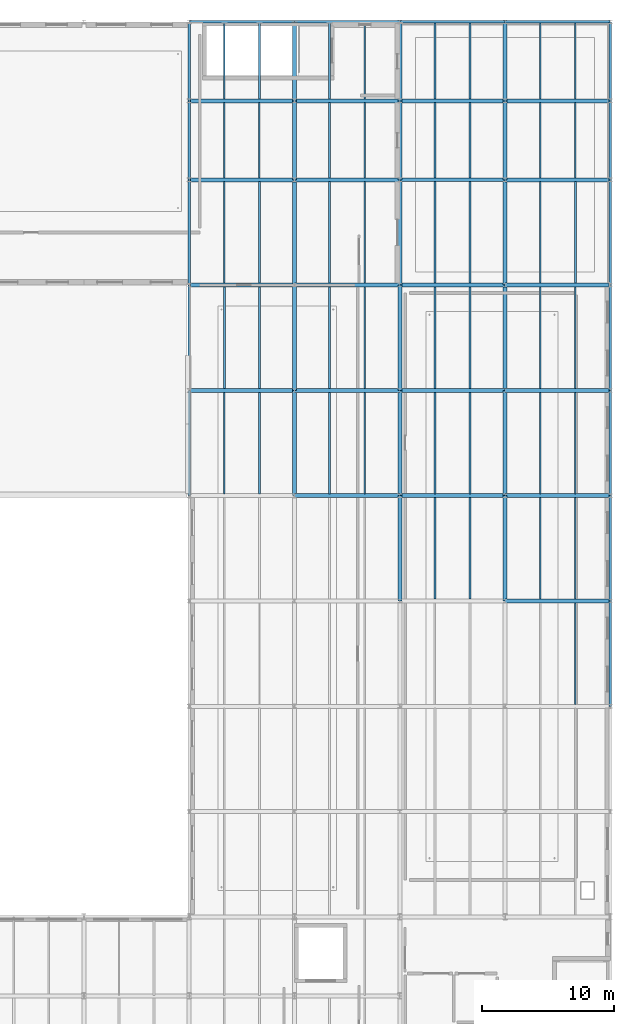
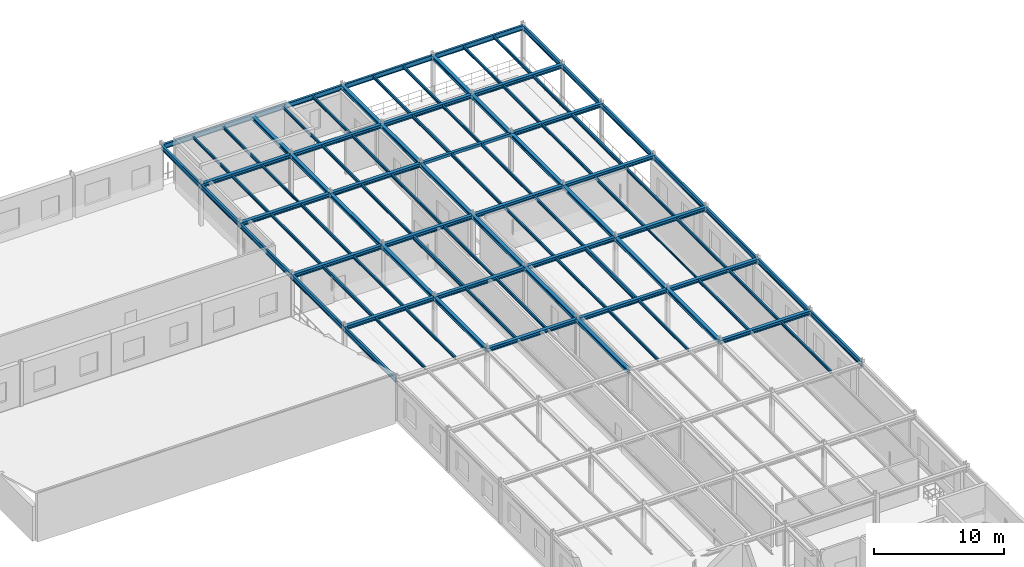
# One storey, part 67 of 124: 98 beams.
"""IFC4 building model written with IfcOpenShell, lengths in metres."""

from ifc_helpers import new_model, si_unit, direction, frame, origin, origin_2d, place, context, subcontext, project, spatial, hollow_rectangle, i_section, extrude, material, material_profile, profile_set, type_object, element, save


model = new_model("IFC4")

# Units and contexts
model_context = context("Model", 3, precision=1e-05, world=origin(), true_north=direction((0.0, 1.0)))
body_context = subcontext(model_context, "Body", "Model", "MODEL_VIEW")
ifc_project = project(units=[si_unit("LENGTHUNIT", "METRE"), si_unit("AREAUNIT", "SQUARE_METRE"), si_unit("VOLUMEUNIT", "CUBIC_METRE"), si_unit("PLANEANGLEUNIT", "RADIAN"), si_unit("MASSUNIT", "GRAM", prefix="KILO")], contexts=[model_context])

# Site, building, storey
site_placement = place(None, origin())
site = spatial("IfcSite", under=ifc_project, at=site_placement, CompositionType="ELEMENT")
building_placement = place(site_placement, origin())
building = spatial("IfcBuilding", under=site, at=building_placement, Name="Sundkrona Museum", CompositionType="ELEMENT")
storey_placement = place(building_placement, frame((0.0, 0.0, 17.60009765625)))
storey = spatial("IfcBuildingStorey", under=building, at=storey_placement, Name="L03", CompositionType="ELEMENT", Elevation=17.60009765625)

# Beams
ifc_material_1 = material(Name="Steel S355J2", Category="steel")
ifc_material_profile_1 = material_profile(ifc_material_1, i_section(OverallWidth=0.300048828125, OverallDepth=0.35009765625, WebThickness=0.010009765625, FlangeThickness=0.017578125, FilletRadius=0.027099609375, at=origin_2d()), Name="HEA 360")
ifc_profile_set_1 = profile_set([ifc_material_profile_1], Name="Steel S355J2")
beam_type_1 = type_object("IfcBeamType", Name="B-HEA360", PredefinedType="BEAM", material=ifc_profile_set_1)
for number, where, z_axis, x_axis, name in (
    (1, (144.0, 78.0, 3.724853515625), (1.0, 0.0, 0.0), (0.0, 1.0, 0.0), "L03 Girder X-1495"),
    (2, (152.0, 78.0, 3.724853515625), (1.0, 0.0, 0.0), (0.0, 1.0, 0.0), "L03 Girder X-1496"),
    (3, (160.0, 78.0, 3.724853515625), (1.0, 0.0, 0.0), (0.0, 1.0, 0.0), "L03 Girder X-1497"),
    (4, (136.0, 86.0, 3.724853515625), (1.0, 0.0, 0.0), (0.0, 1.0, 0.0), "L03 Girder X-1504"),
    (5, (144.0, 86.0, 3.724853515625), (1.0, 0.0, 0.0), (0.0, 1.0, 0.0), "L03 Girder X-1505"),
    (6, (152.0, 86.0, 3.724853515625), (1.0, 0.0, 0.0), (0.0, 1.0, 0.0), "L03 Girder X-1506"),
    (7, (160.0, 86.0, 3.724853515625), (1.0, 0.0, 0.0), (0.0, 1.0, 0.0), "L03 Girder X-1507"),
    (8, (136.0, 94.0, 3.724853515625), (1.0, 0.0, 0.0), (0.0, 1.0, 0.0), "L03 Girder X-1516"),
    (9, (144.0, 94.0, 3.724853515625), (1.0, 0.0, 0.0), (0.0, 1.0, 0.0), "L03 Girder X-1517"),
    (10, (152.0, 94.0, 3.724853515625), (1.0, 0.0, 0.0), (0.0, 1.0, 0.0), "L03 Girder X-1518"),
    (11, (160.0, 94.0, 3.724853515625), (1.0, 0.0, 0.0), (0.0, 1.0, 0.0), "L03 Girder X-1519"),
    (12, (136.0, 102.0, 3.724853515625), (1.0, 0.0, 0.0), (0.0, 1.0, 0.0), "L03 Girder X-1528"),
    (13, (144.0, 102.0, 3.724853515625), (1.0, 0.0, 0.0), (0.0, 1.0, 0.0), "L03 Girder X-1529"),
    (14, (160.0, 102.0, 3.724853515625), (1.0, 0.0, 0.0), (0.0, 1.0, 0.0), "L03 Girder X-1531"),
    (15, (136.0, 108.0, 3.724853515625), (1.0, 0.0, 0.0), (0.0, 1.0, 0.0), "L03 Girder X-1540"),
    (16, (144.0, 108.0, 3.724853515625), (1.0, 0.0, 0.0), (0.0, 1.0, 0.0), "L03 Girder X-1541"),
    (17, (152.0, 108.0, 3.724853515625), (1.0, 0.0, 0.0), (0.0, 1.0, 0.0), "L03 Girder X-1542"),
    (18, (160.0, 108.0, 3.724853515625), (1.0, 0.0, 0.0), (0.0, 1.0, 0.0), "L03 Girder X-1543"),
    (19, (144.0, 78.0, 3.724853515625), (0.0, 1.0, 0.0), (-1.0, 0.0, 0.0), "L03 Girder Y-1655"),
    (20, (144.0, 86.0, 3.724853515625), (0.0, 1.0, 0.0), (-1.0, 0.0, 0.0), "L03 Girder Y-1656"),
    (21, (144.0, 94.0, 3.724853515625), (0.0, 1.0, 0.0), (-1.0, 0.0, 0.0), "L03 Girder Y-1657"),
):
    element("IfcBeam", number, at=place(storey_placement, frame(where, z_axis=z_axis, x_axis=x_axis)), inside=storey, type_object=beam_type_1, Name=name, PredefinedType="BEAM", context=body_context, shape_type="SweptSolid", body=[
        extrude(i_section(OverallWidth=0.300048828125, OverallDepth=0.35009765625, WebThickness=0.010009765625, FlangeThickness=0.017578125, FilletRadius=0.027099609375, at=origin_2d()), origin(), (0.0, 0.0, 1.0), 8.0),
    ])
for number, where, z_axis, x_axis, name in (
    (22, (144.0, 102.0, 3.724853515625), (0.0, 1.0, 0.0), (-1.0, 0.0, 0.0), "L03 Girder Y-1658"),
    (23, (144.0, 108.0, 3.724853515625), (0.0, 1.0, 0.0), (-1.0, 0.0, 0.0), "L03 Girder Y-1659"),
):
    element("IfcBeam", number, at=place(storey_placement, frame(where, z_axis=z_axis, x_axis=x_axis)), inside=storey, type_object=beam_type_1, Name=name, PredefinedType="BEAM", context=body_context, shape_type="SweptSolid", body=[
        extrude(i_section(OverallWidth=0.300048828125, OverallDepth=0.35009765625, WebThickness=0.010009765625, FlangeThickness=0.017578125, FilletRadius=0.027099609375, at=origin_2d()), origin(), (0.0, 0.0, 1.0), 6.0),
    ])
for number, where, z_axis, x_axis, name in (
    (24, (152.0, 70.0, 3.724853515625), (0.0, 1.0, 0.0), (-1.0, 0.0, 0.0), "L03 Girder Y-1669"),
    (25, (152.0, 78.0, 3.724853515625), (0.0, 1.0, 0.0), (-1.0, 0.0, 0.0), "L03 Girder Y-1670"),
    (26, (152.0, 86.0, 3.724853515625), (0.0, 1.0, 0.0), (-1.0, 0.0, 0.0), "L03 Girder Y-1671"),
    (27, (152.0, 94.0, 3.724853515625), (0.0, 1.0, 0.0), (-1.0, 0.0, 0.0), "L03 Girder Y-1672"),
):
    element("IfcBeam", number, at=place(storey_placement, frame(where, z_axis=z_axis, x_axis=x_axis)), inside=storey, type_object=beam_type_1, Name=name, PredefinedType="BEAM", context=body_context, shape_type="SweptSolid", body=[
        extrude(i_section(OverallWidth=0.300048828125, OverallDepth=0.35009765625, WebThickness=0.010009765625, FlangeThickness=0.017578125, FilletRadius=0.027099609375, at=origin_2d()), origin(), (0.0, 0.0, 1.0), 8.0),
    ])
for number, where, z_axis, x_axis, name in (
    (28, (152.0, 102.0, 3.724853515625), (0.0, 1.0, 0.0), (-1.0, 0.0, 0.0), "L03 Girder Y-1673"),
    (29, (152.0, 108.0, 3.724853515625), (0.0, 1.0, 0.0), (-1.0, 0.0, 0.0), "L03 Girder Y-1674"),
):
    element("IfcBeam", number, at=place(storey_placement, frame(where, z_axis=z_axis, x_axis=x_axis)), inside=storey, type_object=beam_type_1, Name=name, PredefinedType="BEAM", context=body_context, shape_type="SweptSolid", body=[
        extrude(i_section(OverallWidth=0.300048828125, OverallDepth=0.35009765625, WebThickness=0.010009765625, FlangeThickness=0.017578125, FilletRadius=0.027099609375, at=origin_2d()), origin(), (0.0, 0.0, 1.0), 6.0),
    ])
for number, where, z_axis, x_axis, name in (
    (30, (160.0, 70.0, 3.724853515625), (0.0, 1.0, 0.0), (-1.0, 0.0, 0.0), "L03 Girder Y-1682"),
    (31, (160.0, 78.0, 3.724853515625), (0.0, 1.0, 0.0), (-1.0, 0.0, 0.0), "L03 Girder Y-1683"),
    (32, (160.0, 86.0, 3.724853515625), (0.0, 1.0, 0.0), (-1.0, 0.0, 0.0), "L03 Girder Y-1684"),
    (33, (160.0, 94.0, 3.724853515625), (0.0, 1.0, 0.0), (-1.0, 0.0, 0.0), "L03 Girder Y-1685"),
):
    element("IfcBeam", number, at=place(storey_placement, frame(where, z_axis=z_axis, x_axis=x_axis)), inside=storey, type_object=beam_type_1, Name=name, PredefinedType="BEAM", context=body_context, shape_type="SweptSolid", body=[
        extrude(i_section(OverallWidth=0.300048828125, OverallDepth=0.35009765625, WebThickness=0.010009765625, FlangeThickness=0.017578125, FilletRadius=0.027099609375, at=origin_2d()), origin(), (0.0, 0.0, 1.0), 8.0),
    ])
for number, where, z_axis, x_axis, name in (
    (34, (160.0, 102.0, 3.724853515625), (0.0, 1.0, 0.0), (-1.0, 0.0, 0.0), "L03 Girder Y-1686"),
    (35, (160.0, 108.0, 3.724853515625), (0.0, 1.0, 0.0), (-1.0, 0.0, 0.0), "L03 Girder Y-1687"),
):
    element("IfcBeam", number, at=place(storey_placement, frame(where, z_axis=z_axis, x_axis=x_axis)), inside=storey, type_object=beam_type_1, Name=name, PredefinedType="BEAM", context=body_context, shape_type="SweptSolid", body=[
        extrude(i_section(OverallWidth=0.300048828125, OverallDepth=0.35009765625, WebThickness=0.010009765625, FlangeThickness=0.017578125, FilletRadius=0.027099609375, at=origin_2d()), origin(), (0.0, 0.0, 1.0), 6.0),
    ])
ifc_material_profile_2 = material_profile(ifc_material_1, i_section(OverallWidth=0.300048828125, OverallDepth=0.360107421875, WebThickness=0.012451171875, FlangeThickness=0.0224609375, FilletRadius=0.027099609375, at=origin_2d()), Name="HEB 360")
ifc_profile_set_2 = profile_set([ifc_material_profile_2], Name="Steel S355J2")
beam_type_2 = type_object("IfcBeamType", Name="B-HEB360", PredefinedType="BEAM", material=ifc_profile_set_2)
beam_1_placement = place(storey_placement, frame((160.0, 70.0, 3.719970703125), z_axis=(1.0, 0.0, 0.0), x_axis=(0.0, 1.0, 0.0)))
element("IfcBeam", 36, at=beam_1_placement, inside=storey, type_object=beam_type_2, Name="L03 Girder X-1485", PredefinedType="BEAM", context=body_context, shape_type="SweptSolid", body=[
    extrude(i_section(OverallWidth=0.300048828125, OverallDepth=0.360107421875, WebThickness=0.012451171875, FlangeThickness=0.0224609375, FilletRadius=0.027099609375, at=origin_2d()), origin(), (0.0, 0.0, 1.0), 8.0),
])
ifc_material_2 = material(Name="Steel S460M", Category="steel")
ifc_material_profile_3 = material_profile(ifc_material_2, hollow_rectangle(XDim=0.25, YDim=0.25, WallThickness=0.012451171875, at=origin_2d()), Name="SHS 250x250x12.5")
ifc_profile_set_3 = profile_set([ifc_material_profile_3], Name="Steel S460M")
beam_type_3 = type_object("IfcBeamType", Name="B-SHS250", PredefinedType="BEAM", material=ifc_profile_set_3)
beam_2_placement = place(storey_placement, frame((152.0, 102.0, 3.77490234375), z_axis=(1.0, 0.0, 0.0), x_axis=(0.0, 1.0, 0.0)))
element("IfcBeam", 37, at=beam_2_placement, inside=storey, type_object=beam_type_3, Name="L03 Girder X-1530", PredefinedType="BEAM", context=body_context, shape_type="SweptSolid", body=[
    extrude(hollow_rectangle(XDim=0.25, YDim=0.25, WallThickness=0.012451171875, at=origin_2d()), origin(), (0.0, 0.0, 1.0), 8.0),
])
ifc_material_profile_4 = material_profile(ifc_material_1, i_section(OverallWidth=0.091064453125, OverallDepth=0.179931640625, WebThickness=0.00537109375, FlangeThickness=0.008056640625, FilletRadius=0.009033203125, at=origin_2d()), Name="IPE 180")
ifc_profile_set_4 = profile_set([ifc_material_profile_4], Name="Steel S355J2")
beam_type_4 = type_object("IfcBeamType", Name="J-IPE180", PredefinedType="JOIST", material=ifc_profile_set_4)
beam_3_placement = place(storey_placement, frame((162.666748046875, 78.14404296875, 3.809814453125), z_axis=(0.0, 1.0, 0.0), x_axis=(-1.0, 0.0, 0.0)))
element("IfcBeam", 38, at=beam_3_placement, inside=storey, type_object=beam_type_4, Name="L03 Composite Joist 1175", PredefinedType="JOIST", context=body_context, shape_type="SweptSolid", body=[
    extrude(i_section(OverallWidth=0.091064453125, OverallDepth=0.179931640625, WebThickness=0.00537109375, FlangeThickness=0.008056640625, FilletRadius=0.009033203125, at=origin_2d()), origin(), (0.0, 0.0, 1.0), 7.7119140625),
])
ifc_material_profile_5 = material_profile(ifc_material_1, i_section(OverallWidth=0.1201171875, OverallDepth=0.239990234375, WebThickness=0.006103515625, FlangeThickness=0.009765625, FilletRadius=0.014892578125, at=origin_2d()), Name="IPE 240")
ifc_profile_set_5 = profile_set([ifc_material_profile_5], Name="Steel S355J2")
beam_type_5 = type_object("IfcBeamType", Name="J-IPE240", PredefinedType="JOIST", material=ifc_profile_set_5)
beam_4_placement = place(storey_placement, frame((141.333251953125, 102.14404296875, 3.77978515625), z_axis=(0.0, 1.0, 0.0), x_axis=(-1.0, 0.0, 0.0)))
element("IfcBeam", 39, at=beam_4_placement, inside=storey, type_object=beam_type_5, Name="L03 Composite Joist 1105", PredefinedType="JOIST", context=body_context, shape_type="SweptSolid", body=[
    extrude(i_section(OverallWidth=0.1201171875, OverallDepth=0.239990234375, WebThickness=0.006103515625, FlangeThickness=0.009765625, FilletRadius=0.014892578125, at=origin_2d()), origin(), (0.0, 0.0, 1.0), 5.7119140625),
])
ifc_material_profile_6 = material_profile(ifc_material_1, i_section(OverallWidth=0.135009765625, OverallDepth=0.27001953125, WebThickness=0.006591796875, FlangeThickness=0.01025390625, FilletRadius=0.014892578125, at=origin_2d()), Name="IPE 270")
ifc_profile_set_6 = profile_set([ifc_material_profile_6], Name="Steel S355J2")
beam_type_6 = type_object("IfcBeamType", Name="J-IPE270", PredefinedType="JOIST", material=ifc_profile_set_6)
for number, where, z_axis, x_axis, name in (
    (40, (138.666748046875, 78.14404296875, 3.764892578125), (0.0, 1.0, 0.0), (-1.0, 0.0, 0.0), "L03 Composite Joist 1098"),
    (41, (141.333251953125, 78.14404296875, 3.764892578125), (0.0, 1.0, 0.0), (-1.0, 0.0, 0.0), "L03 Composite Joist 1099"),
    (42, (141.333251953125, 86.14404296875, 3.764892578125), (0.0, 1.0, 0.0), (-1.0, 0.0, 0.0), "L03 Composite Joist 1101"),
    (43, (138.666748046875, 94.14404296875, 3.764892578125), (0.0, 1.0, 0.0), (-1.0, 0.0, 0.0), "L03 Composite Joist 1102"),
    (44, (141.333251953125, 94.14404296875, 3.764892578125), (0.0, 1.0, 0.0), (-1.0, 0.0, 0.0), "L03 Composite Joist 1103"),
):
    element("IfcBeam", number, at=place(storey_placement, frame(where, z_axis=z_axis, x_axis=x_axis)), inside=storey, type_object=beam_type_6, Name=name, PredefinedType="JOIST", context=body_context, shape_type="SweptSolid", body=[
        extrude(i_section(OverallWidth=0.135009765625, OverallDepth=0.27001953125, WebThickness=0.006591796875, FlangeThickness=0.01025390625, FilletRadius=0.014892578125, at=origin_2d()), origin(), (0.0, 0.0, 1.0), 7.7119140625),
    ])
beam_5_placement = place(storey_placement, frame((138.666748046875, 102.14404296875, 3.764892578125), z_axis=(0.0, 1.0, 0.0), x_axis=(-1.0, 0.0, 0.0)))
element("IfcBeam", 45, at=beam_5_placement, inside=storey, type_object=beam_type_6, Name="L03 Composite Joist 1104", PredefinedType="JOIST", context=body_context, shape_type="SweptSolid", body=[
    extrude(i_section(OverallWidth=0.135009765625, OverallDepth=0.27001953125, WebThickness=0.006591796875, FlangeThickness=0.01025390625, FilletRadius=0.014892578125, at=origin_2d()), origin(), (0.0, 0.0, 1.0), 5.7119140625),
])
for number, where, z_axis, x_axis, name in (
    (46, (138.666748046875, 108.14404296875, 3.764892578125), (0.0, 1.0, 0.0), (-1.0, 0.0, 0.0), "L03 Composite Joist 1106"),
    (47, (141.333251953125, 108.14404296875, 3.764892578125), (0.0, 1.0, 0.0), (-1.0, 0.0, 0.0), "L03 Composite Joist 1107"),
):
    element("IfcBeam", number, at=place(storey_placement, frame(where, z_axis=z_axis, x_axis=x_axis)), inside=storey, type_object=beam_type_6, Name=name, PredefinedType="JOIST", context=body_context, shape_type="SweptSolid", body=[
        extrude(i_section(OverallWidth=0.135009765625, OverallDepth=0.27001953125, WebThickness=0.006591796875, FlangeThickness=0.01025390625, FilletRadius=0.014892578125, at=origin_2d()), origin(), (0.0, 0.0, 1.0), 5.766845703125),
    ])
for number, where, z_axis, x_axis, name in (
    (48, (146.666748046875, 78.14404296875, 3.764892578125), (0.0, 1.0, 0.0), (-1.0, 0.0, 0.0), "L03 Composite Joist 1123"),
    (49, (149.333251953125, 78.14404296875, 3.764892578125), (0.0, 1.0, 0.0), (-1.0, 0.0, 0.0), "L03 Composite Joist 1124"),
    (50, (149.333251953125, 86.14404296875, 3.764892578125), (0.0, 1.0, 0.0), (-1.0, 0.0, 0.0), "L03 Composite Joist 1126"),
    (51, (146.666748046875, 94.14404296875, 3.764892578125), (0.0, 1.0, 0.0), (-1.0, 0.0, 0.0), "L03 Composite Joist 1127"),
    (52, (149.333251953125, 94.14404296875, 3.764892578125), (0.0, 1.0, 0.0), (-1.0, 0.0, 0.0), "L03 Composite Joist 1128"),
):
    element("IfcBeam", number, at=place(storey_placement, frame(where, z_axis=z_axis, x_axis=x_axis)), inside=storey, type_object=beam_type_6, Name=name, PredefinedType="JOIST", context=body_context, shape_type="SweptSolid", body=[
        extrude(i_section(OverallWidth=0.135009765625, OverallDepth=0.27001953125, WebThickness=0.006591796875, FlangeThickness=0.01025390625, FilletRadius=0.014892578125, at=origin_2d()), origin(), (0.0, 0.0, 1.0), 7.7119140625),
    ])
for number, where, z_axis, x_axis, name in (
    (53, (146.666748046875, 102.14404296875, 3.764892578125), (0.0, 1.0, 0.0), (-1.0, 0.0, 0.0), "L03 Composite Joist 1129"),
    (54, (149.333251953125, 102.14404296875, 3.764892578125), (0.0, 1.0, 0.0), (-1.0, 0.0, 0.0), "L03 Composite Joist 1130"),
):
    element("IfcBeam", number, at=place(storey_placement, frame(where, z_axis=z_axis, x_axis=x_axis)), inside=storey, type_object=beam_type_6, Name=name, PredefinedType="JOIST", context=body_context, shape_type="SweptSolid", body=[
        extrude(i_section(OverallWidth=0.135009765625, OverallDepth=0.27001953125, WebThickness=0.006591796875, FlangeThickness=0.01025390625, FilletRadius=0.014892578125, at=origin_2d()), origin(), (0.0, 0.0, 1.0), 5.7119140625),
    ])
for number, where, z_axis, x_axis, name in (
    (55, (146.666748046875, 108.14404296875, 3.764892578125), (0.0, 1.0, 0.0), (-1.0, 0.0, 0.0), "L03 Composite Joist 1131"),
    (56, (149.333251953125, 108.14404296875, 3.764892578125), (0.0, 1.0, 0.0), (-1.0, 0.0, 0.0), "L03 Composite Joist 1132"),
):
    element("IfcBeam", number, at=place(storey_placement, frame(where, z_axis=z_axis, x_axis=x_axis)), inside=storey, type_object=beam_type_6, Name=name, PredefinedType="JOIST", context=body_context, shape_type="SweptSolid", body=[
        extrude(i_section(OverallWidth=0.135009765625, OverallDepth=0.27001953125, WebThickness=0.006591796875, FlangeThickness=0.01025390625, FilletRadius=0.014892578125, at=origin_2d()), origin(), (0.0, 0.0, 1.0), 5.766845703125),
    ])
for number, where, z_axis, x_axis, name in (
    (57, (154.666748046875, 70.14404296875, 3.764892578125), (0.0, 1.0, 0.0), (-1.0, 0.0, 0.0), "L03 Composite Joist 1147"),
    (58, (157.333251953125, 70.14404296875, 3.764892578125), (0.0, 1.0, 0.0), (-1.0, 0.0, 0.0), "L03 Composite Joist 1148"),
    (59, (154.666748046875, 78.14404296875, 3.764892578125), (0.0, 1.0, 0.0), (-1.0, 0.0, 0.0), "L03 Composite Joist 1149"),
    (60, (154.666748046875, 86.14404296875, 3.764892578125), (0.0, 1.0, 0.0), (-1.0, 0.0, 0.0), "L03 Composite Joist 1151"),
    (61, (157.333251953125, 86.14404296875, 3.764892578125), (0.0, 1.0, 0.0), (-1.0, 0.0, 0.0), "L03 Composite Joist 1152"),
):
    element("IfcBeam", number, at=place(storey_placement, frame(where, z_axis=z_axis, x_axis=x_axis)), inside=storey, type_object=beam_type_6, Name=name, PredefinedType="JOIST", context=body_context, shape_type="SweptSolid", body=[
        extrude(i_section(OverallWidth=0.135009765625, OverallDepth=0.27001953125, WebThickness=0.006591796875, FlangeThickness=0.01025390625, FilletRadius=0.014892578125, at=origin_2d()), origin(), (0.0, 0.0, 1.0), 7.7119140625),
    ])
for number, where, z_axis, x_axis, name in (
    (62, (154.666748046875, 94.14404296875, 3.764892578125), (0.0, 1.0, 0.0), (-1.0, 0.0, 0.0), "L03 Composite Joist 1153"),
    (63, (157.333251953125, 94.14404296875, 3.764892578125), (0.0, 1.0, 0.0), (-1.0, 0.0, 0.0), "L03 Composite Joist 1154"),
):
    element("IfcBeam", number, at=place(storey_placement, frame(where, z_axis=z_axis, x_axis=x_axis)), inside=storey, type_object=beam_type_6, Name=name, PredefinedType="JOIST", context=body_context, shape_type="SweptSolid", body=[
        extrude(i_section(OverallWidth=0.135009765625, OverallDepth=0.27001953125, WebThickness=0.006591796875, FlangeThickness=0.01025390625, FilletRadius=0.014892578125, at=origin_2d()), origin(), (0.0, 0.0, 1.0), 7.737060546875),
    ])
beam_6_placement = place(storey_placement, frame((157.333251953125, 102.118896484375, 3.764892578125), z_axis=(0.0, 1.0, 0.0), x_axis=(-1.0, 0.0, 0.0)))
element("IfcBeam", 64, at=beam_6_placement, inside=storey, type_object=beam_type_6, Name="L03 Composite Joist 1156", PredefinedType="JOIST", context=body_context, shape_type="SweptSolid", body=[
    extrude(i_section(OverallWidth=0.135009765625, OverallDepth=0.27001953125, WebThickness=0.006591796875, FlangeThickness=0.01025390625, FilletRadius=0.014892578125, at=origin_2d()), origin(), (0.0, 0.0, 1.0), 5.737060546875),
])
for number, where, z_axis, x_axis, name in (
    (65, (154.666748046875, 108.14404296875, 3.764892578125), (0.0, 1.0, 0.0), (-1.0, 0.0, 0.0), "L03 Composite Joist 1157"),
    (66, (157.333251953125, 108.14404296875, 3.764892578125), (0.0, 1.0, 0.0), (-1.0, 0.0, 0.0), "L03 Composite Joist 1158"),
):
    element("IfcBeam", number, at=place(storey_placement, frame(where, z_axis=z_axis, x_axis=x_axis)), inside=storey, type_object=beam_type_6, Name=name, PredefinedType="JOIST", context=body_context, shape_type="SweptSolid", body=[
        extrude(i_section(OverallWidth=0.135009765625, OverallDepth=0.27001953125, WebThickness=0.006591796875, FlangeThickness=0.01025390625, FilletRadius=0.014892578125, at=origin_2d()), origin(), (0.0, 0.0, 1.0), 5.766845703125),
    ])
for number, where, z_axis, x_axis, name in (
    (67, (165.333251953125, 62.14404296875, 3.764892578125), (0.0, 1.0, 0.0), (-1.0, 0.0, 0.0), "L03 Composite Joist 1172"),
    (68, (162.666748046875, 70.14404296875, 3.764892578125), (0.0, 1.0, 0.0), (-1.0, 0.0, 0.0), "L03 Composite Joist 1173"),
    (69, (165.333251953125, 70.14404296875, 3.764892578125), (0.0, 1.0, 0.0), (-1.0, 0.0, 0.0), "L03 Composite Joist 1174"),
    (70, (165.333251953125, 78.14404296875, 3.764892578125), (0.0, 1.0, 0.0), (-1.0, 0.0, 0.0), "L03 Composite Joist 1176"),
    (71, (162.666748046875, 86.14404296875, 3.764892578125), (0.0, 1.0, 0.0), (-1.0, 0.0, 0.0), "L03 Composite Joist 1177"),
    (72, (165.333251953125, 86.14404296875, 3.764892578125), (0.0, 1.0, 0.0), (-1.0, 0.0, 0.0), "L03 Composite Joist 1178"),
    (73, (162.666748046875, 94.14404296875, 3.764892578125), (0.0, 1.0, 0.0), (-1.0, 0.0, 0.0), "L03 Composite Joist 1179"),
):
    element("IfcBeam", number, at=place(storey_placement, frame(where, z_axis=z_axis, x_axis=x_axis)), inside=storey, type_object=beam_type_6, Name=name, PredefinedType="JOIST", context=body_context, shape_type="SweptSolid", body=[
        extrude(i_section(OverallWidth=0.135009765625, OverallDepth=0.27001953125, WebThickness=0.006591796875, FlangeThickness=0.01025390625, FilletRadius=0.014892578125, at=origin_2d()), origin(), (0.0, 0.0, 1.0), 7.7119140625),
    ])
for number, where, z_axis, x_axis, name in (
    (74, (162.666748046875, 102.14404296875, 3.764892578125), (0.0, 1.0, 0.0), (-1.0, 0.0, 0.0), "L03 Composite Joist 1181"),
    (75, (165.333251953125, 102.14404296875, 3.764892578125), (0.0, 1.0, 0.0), (-1.0, 0.0, 0.0), "L03 Composite Joist 1182"),
):
    element("IfcBeam", number, at=place(storey_placement, frame(where, z_axis=z_axis, x_axis=x_axis)), inside=storey, type_object=beam_type_6, Name=name, PredefinedType="JOIST", context=body_context, shape_type="SweptSolid", body=[
        extrude(i_section(OverallWidth=0.135009765625, OverallDepth=0.27001953125, WebThickness=0.006591796875, FlangeThickness=0.01025390625, FilletRadius=0.014892578125, at=origin_2d()), origin(), (0.0, 0.0, 1.0), 5.7119140625),
    ])
for number, where, z_axis, x_axis, name in (
    (76, (162.666748046875, 108.14404296875, 3.764892578125), (0.0, 1.0, 0.0), (-1.0, 0.0, 0.0), "L03 Composite Joist 1183"),
    (77, (165.333251953125, 108.14404296875, 3.764892578125), (0.0, 1.0, 0.0), (-1.0, 0.0, 0.0), "L03 Composite Joist 1184"),
):
    element("IfcBeam", number, at=place(storey_placement, frame(where, z_axis=z_axis, x_axis=x_axis)), inside=storey, type_object=beam_type_6, Name=name, PredefinedType="JOIST", context=body_context, shape_type="SweptSolid", body=[
        extrude(i_section(OverallWidth=0.135009765625, OverallDepth=0.27001953125, WebThickness=0.006591796875, FlangeThickness=0.01025390625, FilletRadius=0.014892578125, at=origin_2d()), origin(), (0.0, 0.0, 1.0), 5.766845703125),
    ])
ifc_material_profile_7 = material_profile(ifc_material_1, i_section(OverallWidth=0.14990234375, OverallDepth=0.300048828125, WebThickness=0.007080078125, FlangeThickness=0.0107421875, FilletRadius=0.014892578125, at=origin_2d()), Name="IPE 300")
ifc_profile_set_7 = profile_set([ifc_material_profile_7], Name="Steel S355J2")
beam_type_7 = type_object("IfcBeamType", Name="J-IPE300", PredefinedType="JOIST", material=ifc_profile_set_7)
beam_7_placement = place(storey_placement, frame((154.666748046875, 102.118896484375, 3.75), z_axis=(0.0, 1.0, 0.0), x_axis=(-1.0, 0.0, 0.0)))
element("IfcBeam", 78, at=beam_7_placement, inside=storey, type_object=beam_type_7, Name="L03 Composite Joist 1155", PredefinedType="JOIST", context=body_context, shape_type="SweptSolid", body=[
    extrude(i_section(OverallWidth=0.14990234375, OverallDepth=0.300048828125, WebThickness=0.007080078125, FlangeThickness=0.0107421875, FilletRadius=0.014892578125, at=origin_2d()), origin(), (0.0, 0.0, 1.0), 5.737060546875),
])
ifc_material_profile_8 = material_profile(ifc_material_1, i_section(OverallWidth=0.159912109375, OverallDepth=0.330078125, WebThickness=0.007568359375, FlangeThickness=0.011474609375, FilletRadius=0.01806640625, at=origin_2d()), Name="IPE 330")
ifc_profile_set_8 = profile_set([ifc_material_profile_8], Name="Steel S355J2")
beam_type_8 = type_object("IfcBeamType", Name="J-IPE330", PredefinedType="JOIST", material=ifc_profile_set_8)
for number, where, z_axis, x_axis, name in (
    (79, (138.666748046875, 86.14404296875, 3.73486328125), (0.0, 1.0, 0.0), (-1.0, 0.0, 0.0), "L03 Composite Joist 1100"),
    (80, (165.333251953125, 94.14404296875, 3.73486328125), (0.0, 1.0, 0.0), (-1.0, 0.0, 0.0), "L03 Composite Joist 1180"),
):
    element("IfcBeam", number, at=place(storey_placement, frame(where, z_axis=z_axis, x_axis=x_axis)), inside=storey, type_object=beam_type_8, Name=name, PredefinedType="JOIST", context=body_context, shape_type="SweptSolid", body=[
        extrude(i_section(OverallWidth=0.159912109375, OverallDepth=0.330078125, WebThickness=0.007568359375, FlangeThickness=0.011474609375, FilletRadius=0.01806640625, at=origin_2d()), origin(), (0.0, 0.0, 1.0), 7.7119140625),
    ])
ifc_material_profile_9 = material_profile(ifc_material_1, i_section(OverallWidth=0.169921875, OverallDepth=0.360107421875, WebThickness=0.008056640625, FlangeThickness=0.0126953125, FilletRadius=0.01806640625, at=origin_2d()), Name="IPE 360")
ifc_profile_set_9 = profile_set([ifc_material_profile_9], Name="Steel S355J2")
beam_type_9 = type_object("IfcBeamType", Name="J-IPE360", PredefinedType="JOIST", material=ifc_profile_set_9)
beam_8_placement = place(storey_placement, frame((146.666748046875, 86.14404296875, 3.719970703125), z_axis=(0.0, 1.0, 0.0), x_axis=(-1.0, 0.0, 0.0)))
element("IfcBeam", 81, at=beam_8_placement, inside=storey, type_object=beam_type_9, Name="L03 Composite Joist 1125", PredefinedType="JOIST", context=body_context, shape_type="SweptSolid", body=[
    extrude(i_section(OverallWidth=0.169921875, OverallDepth=0.360107421875, WebThickness=0.008056640625, FlangeThickness=0.0126953125, FilletRadius=0.01806640625, at=origin_2d()), origin(), (0.0, 0.0, 1.0), 7.7119140625),
])
ifc_material_profile_10 = material_profile(ifc_material_1, i_section(OverallWidth=0.179931640625, OverallDepth=0.39990234375, WebThickness=0.008544921875, FlangeThickness=0.013427734375, FilletRadius=0.02099609375, at=origin_2d()), Name="IPE 400")
ifc_profile_set_10 = profile_set([ifc_material_profile_10], Name="Steel S355J2")
beam_type_10 = type_object("IfcBeamType", Name="J-IPE400", PredefinedType="JOIST", material=ifc_profile_set_10)
beam_9_placement = place(storey_placement, frame((157.333251953125, 78.14404296875, 3.699951171875), z_axis=(0.0, 1.0, 0.0), x_axis=(-1.0, 0.0, 0.0)))
element("IfcBeam", 82, at=beam_9_placement, inside=storey, type_object=beam_type_10, Name="L03 Composite Joist 1150", PredefinedType="JOIST", context=body_context, shape_type="SweptSolid", body=[
    extrude(i_section(OverallWidth=0.179931640625, OverallDepth=0.39990234375, WebThickness=0.008544921875, FlangeThickness=0.013427734375, FilletRadius=0.02099609375, at=origin_2d()), origin(), (0.0, 0.0, 1.0), 7.7119140625),
])
ifc_material_profile_11 = material_profile(ifc_material_1, i_section(OverallWidth=0.18994140625, OverallDepth=0.449951171875, WebThickness=0.009521484375, FlangeThickness=0.0146484375, FilletRadius=0.02099609375, at=origin_2d()), Name="IPE 450")
ifc_profile_set_11 = profile_set([ifc_material_profile_11], Name="Steel S355J2")
beam_type_11 = type_object("IfcBeamType", Name="SP-IPE450", PredefinedType="SPANDREL", material=ifc_profile_set_11)
for number, where, z_axis, x_axis, name in (
    (83, (136.0, 114.0, 3.6748046875), (1.0, 0.0, 0.0), (0.0, 1.0, 0.0), "L03 Girder X-1552"),
    (84, (144.0, 114.0, 3.6748046875), (1.0, 0.0, 0.0), (0.0, 1.0, 0.0), "L03 Girder X-1553"),
    (85, (152.0, 114.0, 3.6748046875), (1.0, 0.0, 0.0), (0.0, 1.0, 0.0), "L03 Girder X-1554"),
    (86, (160.0, 114.0, 3.6748046875), (1.0, 0.0, 0.0), (0.0, 1.0, 0.0), "L03 Girder X-1555"),
    (87, (136.0, 78.0, 3.6748046875), (0.0, 1.0, 0.0), (-1.0, 0.0, 0.0), "L03 Girder Y-1642"),
    (88, (136.0, 86.0, 3.6748046875), (0.0, 1.0, 0.0), (-1.0, 0.0, 0.0), "L03 Girder Y-1643"),
    (89, (136.0, 94.0, 3.6748046875), (0.0, 1.0, 0.0), (-1.0, 0.0, 0.0), "L03 Girder Y-1644"),
):
    element("IfcBeam", number, at=place(storey_placement, frame(where, z_axis=z_axis, x_axis=x_axis)), inside=storey, type_object=beam_type_11, Name=name, PredefinedType="SPANDREL", context=body_context, shape_type="SweptSolid", body=[
        extrude(i_section(OverallWidth=0.18994140625, OverallDepth=0.449951171875, WebThickness=0.009521484375, FlangeThickness=0.0146484375, FilletRadius=0.02099609375, at=origin_2d()), origin(), (0.0, 0.0, 1.0), 8.0),
    ])
for number, where, z_axis, x_axis, name in (
    (90, (136.0, 102.0, 3.6748046875), (0.0, 1.0, 0.0), (-1.0, 0.0, 0.0), "L03 Girder Y-1645"),
    (91, (136.0, 108.0, 3.6748046875), (0.0, 1.0, 0.0), (-1.0, 0.0, 0.0), "L03 Girder Y-1646"),
):
    element("IfcBeam", number, at=place(storey_placement, frame(where, z_axis=z_axis, x_axis=x_axis)), inside=storey, type_object=beam_type_11, Name=name, PredefinedType="SPANDREL", context=body_context, shape_type="SweptSolid", body=[
        extrude(i_section(OverallWidth=0.18994140625, OverallDepth=0.449951171875, WebThickness=0.009521484375, FlangeThickness=0.0146484375, FilletRadius=0.02099609375, at=origin_2d()), origin(), (0.0, 0.0, 1.0), 6.0),
    ])
for number, where, z_axis, x_axis, name in (
    (92, (168.0, 62.0, 3.6748046875), (0.0, 1.0, 0.0), (-1.0, 0.0, 0.0), "L03 Girder Y-1696"),
    (93, (168.0, 70.0, 3.6748046875), (0.0, 1.0, 0.0), (-1.0, 0.0, 0.0), "L03 Girder Y-1697"),
    (94, (168.0, 78.0, 3.6748046875), (0.0, 1.0, 0.0), (-1.0, 0.0, 0.0), "L03 Girder Y-1698"),
    (95, (168.0, 86.0, 3.6748046875), (0.0, 1.0, 0.0), (-1.0, 0.0, 0.0), "L03 Girder Y-1699"),
    (96, (168.0, 94.0, 3.6748046875), (0.0, 1.0, 0.0), (-1.0, 0.0, 0.0), "L03 Girder Y-1700"),
):
    element("IfcBeam", number, at=place(storey_placement, frame(where, z_axis=z_axis, x_axis=x_axis)), inside=storey, type_object=beam_type_11, Name=name, PredefinedType="SPANDREL", context=body_context, shape_type="SweptSolid", body=[
        extrude(i_section(OverallWidth=0.18994140625, OverallDepth=0.449951171875, WebThickness=0.009521484375, FlangeThickness=0.0146484375, FilletRadius=0.02099609375, at=origin_2d()), origin(), (0.0, 0.0, 1.0), 8.0),
    ])
for number, where, z_axis, x_axis, name in (
    (97, (168.0, 102.0, 3.6748046875), (0.0, 1.0, 0.0), (-1.0, 0.0, 0.0), "L03 Girder Y-1701"),
    (98, (168.0, 108.0, 3.6748046875), (0.0, 1.0, 0.0), (-1.0, 0.0, 0.0), "L03 Girder Y-1702"),
):
    element("IfcBeam", number, at=place(storey_placement, frame(where, z_axis=z_axis, x_axis=x_axis)), inside=storey, type_object=beam_type_11, Name=name, PredefinedType="SPANDREL", context=body_context, shape_type="SweptSolid", body=[
        extrude(i_section(OverallWidth=0.18994140625, OverallDepth=0.449951171875, WebThickness=0.009521484375, FlangeThickness=0.0146484375, FilletRadius=0.02099609375, at=origin_2d()), origin(), (0.0, 0.0, 1.0), 6.0),
    ])

save(model, "model.ifc")
